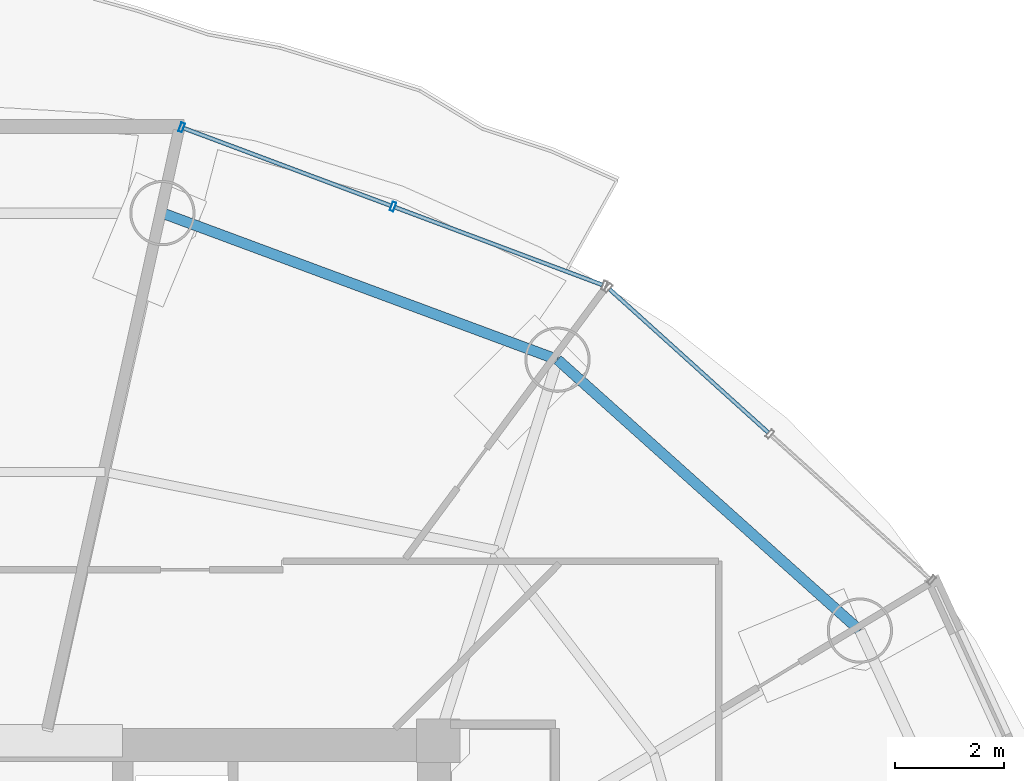
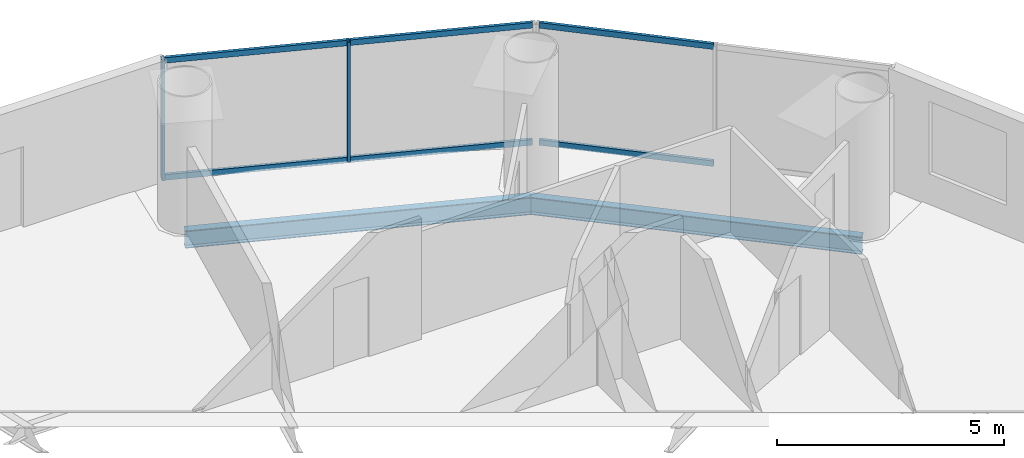
# One storey, part 17 of 26: 8 members, 2 beams, 2 elements without a shape of their own.
"""IFC4 building model written with IfcOpenShell, lengths in metres."""

import ifcopenshell
import ifcopenshell.guid

model = None  # the IFC model being written
_history = None  # IfcOwnerHistory: only IFC2X3 demands one
_inside = {}  # id of a spatial element -> (the spatial element, [elements in it])
_under = {}  # id of a project, library or spatial element -> (it, [spatial elements below it])
_declared = {}  # id of a project -> (the project, [libraries it declares])
_typed = {}  # id of a type object -> (the type object, [elements of that type])
_made_of = {}  # id of a material, layer set ... -> (it, [elements and type objects made of it])


def new_model(schema):
    """Start an empty IFC model of exactly this schema.

    Asked for "IFC4X3", IfcOpenShell would pick the latest addendum, in which some entities
    have other attributes; the version numbers below select the first issue.
    IFC2X3 requires an IfcOwnerHistory on every rooted entity: one is made here for all.
    """
    global model, _history
    if schema == "IFC4X3":
        model = ifcopenshell.file(schema_version=(4, 3, 0, 0))
    else:
        model = ifcopenshell.file(schema=schema)
    _inside.clear()
    _under.clear()
    _declared.clear()
    _typed.clear()
    _made_of.clear()
    _history = None
    if model.schema == "IFC2X3":
        org = make("IfcOrganization", Name="unknown")
        user = make(
            "IfcPersonAndOrganization",
            ThePerson=make("IfcPerson", FamilyName="unknown"),
            TheOrganization=org,
        )
        app = make(
            "IfcApplication",
            ApplicationDeveloper=org,
            Version="unknown",
            ApplicationFullName="unknown",
            ApplicationIdentifier="unknown",
        )
        _history = make(
            "IfcOwnerHistory",
            OwningUser=user,
            OwningApplication=app,
            ChangeAction="ADDED",
            CreationDate=0,
        )
    return model


def make(cls, **values):
    """One entity of the class cls with the attributes given. An attribute that is None is left unset."""
    return model.create_entity(
        cls, **{name: value for name, value in values.items() if value is not None}
    )


def rooted(cls, **values):
    """An entity with a GlobalId (a new one), such as an element, a storey or a relation."""
    return make(cls, GlobalId=ifcopenshell.guid.new(), OwnerHistory=_history, **values)


def si_unit(unit_type, name, prefix=None):
    """IfcSIUnit, for example si_unit("LENGTHUNIT", "METRE", prefix="MILLI")."""
    return make("IfcSIUnit", UnitType=unit_type, Prefix=prefix, Name=name)


def assignment(units):
    """IfcUnitAssignment: the units of a project."""
    return None if units is None else make("IfcUnitAssignment", Units=units)


def point(xyz):
    """IfcCartesianPoint."""
    return None if xyz is None else make("IfcCartesianPoint", Coordinates=xyz)


def direction(xyz):
    """IfcDirection."""
    return None if xyz is None else make("IfcDirection", DirectionRatios=xyz)


def frame(location, z_axis=None, x_axis=None):
    """IfcAxis2Placement3D, a coordinate frame: its origin and axes. An axis left out is left unset."""
    return make(
        "IfcAxis2Placement3D",
        Location=point(location),
        Axis=direction(z_axis),
        RefDirection=direction(x_axis),
    )


def frame_2d(location, x_axis=None):
    """IfcAxis2Placement2D, a coordinate frame in the plane: its origin and x axis."""
    return make(
        "IfcAxis2Placement2D", Location=point(location), RefDirection=direction(x_axis)
    )


def origin():
    """The frame at (0, 0, 0) with its axes left unset."""
    return frame((0.0, 0.0, 0.0))


def origin_2d():
    """The frame at (0, 0) in the plane with its x axis left unset."""
    return frame_2d((0.0, 0.0))


def place(relative_to, where):
    """IfcLocalPlacement: puts the frame where relative to a parent placement (None: the world)."""
    return make(
        "IfcLocalPlacement", PlacementRelTo=relative_to, RelativePlacement=where
    )


def context(
    kind, dimensions, precision=None, world=None, true_north=None, identifier=None
):
    """IfcGeometricRepresentationContext, for example the 3D "Model" context."""
    return make(
        "IfcGeometricRepresentationContext",
        ContextIdentifier=identifier,
        ContextType=kind,
        CoordinateSpaceDimension=dimensions,
        Precision=precision,
        WorldCoordinateSystem=world,
        TrueNorth=true_north,
    )


def subcontext(parent, identifier, kind, view, scale=None):
    """IfcGeometricRepresentationSubContext, for example "Body" below "Model"."""
    return make(
        "IfcGeometricRepresentationSubContext",
        ContextIdentifier=identifier,
        ContextType=kind,
        ParentContext=parent,
        TargetScale=scale,
        TargetView=view,
    )


def project(units=None, contexts=None):
    """IfcProject with its units and contexts."""
    return rooted(
        "IfcProject",
        Name="project",
        RepresentationContexts=contexts,
        UnitsInContext=assignment(units),
    )


def spatial(cls, under=None, at=None, **own):
    """A site, building, storey or space (cls), placed at a placement, below another one or the project."""
    s = rooted(cls, ObjectPlacement=at, **own)
    if under is not None:
        _under.setdefault(under.id(), (under, []))[1].append(s)
    return s


def profile(cls, at=None, kind="AREA", **sizes):
    """A parametric profile (cls). Its sizes go by their IFC names, for example OverallWidth=200.0."""
    return make(cls, ProfileType=kind, Position=at, **sizes)


def hollow_rectangle(**sizes):
    """IfcRectangleHollowProfileDef."""
    return profile("IfcRectangleHollowProfileDef", **sizes)


def i_section(**sizes):
    """IfcIShapeProfileDef."""
    return profile("IfcIShapeProfileDef", **sizes)


def extrude(swept, where, along, depth):
    """IfcExtrudedAreaSolid: the profile swept, set in the frame where, extruded along a direction by depth."""
    return make(
        "IfcExtrudedAreaSolid",
        SweptArea=swept,
        Position=where,
        ExtrudedDirection=direction(along),
        Depth=depth,
    )


def shape(context_of_items, identifier, shape_type, items):
    """IfcShapeRepresentation: the items that make up one representation, for example the "Body"."""
    return make(
        "IfcShapeRepresentation",
        ContextOfItems=context_of_items,
        RepresentationIdentifier=identifier,
        RepresentationType=shape_type,
        Items=items,
    )


def source(mapping_origin, context_of_items, identifier, shape_type, items):
    """IfcRepresentationMap: a shape defined once, which mapped items show again and again."""
    return make(
        "IfcRepresentationMap",
        MappingOrigin=mapping_origin,
        MappedRepresentation=shape(context_of_items, identifier, shape_type, items),
    )


def transform(
    local_origin,
    x_axis=None,
    y_axis=None,
    z_axis=None,
    scale=None,
    scale2=None,
    scale3=None,
    uniform=True,
):
    """IfcCartesianTransformationOperator3D, or its non-uniform kind. x_axis, y_axis, z_axis: its Axis1, 2, 3."""
    if uniform:
        return make(
            "IfcCartesianTransformationOperator3D",
            Axis1=direction(x_axis),
            Axis2=direction(y_axis),
            LocalOrigin=point(local_origin),
            Scale=scale,
            Axis3=direction(z_axis),
        )
    return make(
        "IfcCartesianTransformationOperator3DnonUniform",
        Axis1=direction(x_axis),
        Axis2=direction(y_axis),
        LocalOrigin=point(local_origin),
        Scale=scale,
        Axis3=direction(z_axis),
        Scale2=scale2,
        Scale3=scale3,
    )


def mapped(mapping_source, mapping_target):
    """IfcMappedItem: shows the shape of a source again, moved by a transform."""
    return make(
        "IfcMappedItem", MappingSource=mapping_source, MappingTarget=mapping_target
    )


def material(Name=None, Category=None):
    """IfcMaterial."""
    return make("IfcMaterial", Name=Name, Category=Category)


def material_profile(
    of_material, cross_section, Name=None, Category=None, Priority=None
):
    """IfcMaterialProfile: a cross section and its material."""
    return make(
        "IfcMaterialProfile",
        Name=Name,
        Material=of_material,
        Profile=cross_section,
        Priority=Priority,
        Category=Category,
    )


def profile_set(profiles, Name=None, composite=None):
    """IfcMaterialProfileSet."""
    return make(
        "IfcMaterialProfileSet",
        Name=Name,
        MaterialProfiles=profiles,
        CompositeProfile=composite,
    )


def made_of(thing, what):
    """Note that an element or type object is made of a material, layer set ...; save() writes the relation."""
    if what is not None:
        _made_of.setdefault(what.id(), (what, []))[1].append(thing)
    return thing


def type_object(cls, material=None, **own):
    """A type object (cls), such as IfcWallType, which elements share."""
    return made_of(rooted(cls, **own), material)


def element(
    cls,
    number,
    at=None,
    inside=None,
    cuts=None,
    type_object=None,
    material=None,
    context=None,
    identifier="Body",
    shape_type=None,
    held_by="IfcProductDefinitionShape",
    body=None,
    shapes=None,
    **own,
):
    """One element of the class cls, such as IfcWall. Its Tag is "e" and its number.

    at: its placement. inside: the storey or other place that contains it. cuts: it is an
    opening in that element (IfcRelVoidsElement). A single representation is given by context,
    identifier, shape_type and body (its items); several are given by shapes. held_by: the class
    of the entity that holds the representations. save() writes the other relations.
    """
    e = rooted(cls, Tag="e%d" % number, ObjectPlacement=at, **own)
    if body is not None:
        shapes = [shape(context, identifier, shape_type, body)]
    if shapes is not None:
        e.Representation = make(held_by, Representations=shapes)
    if inside is not None:
        _inside.setdefault(inside.id(), (inside, []))[1].append(e)
    if cuts is not None:
        rooted(
            "IfcRelVoidsElement", RelatingBuildingElement=cuts, RelatedOpeningElement=e
        )
    if type_object is not None:
        _typed.setdefault(type_object.id(), (type_object, []))[1].append(e)
    return made_of(e, material)


def aggregate(whole, parts):
    """IfcRelAggregates: a whole, such as a stair, and the parts it consists of."""
    return rooted("IfcRelAggregates", RelatingObject=whole, RelatedObjects=parts)


def save(model, path):
    """Write the relations noted so far, then the file.

    IfcRelAggregates (storeys below a building ...), IfcRelContainedInSpatialStructure (elements
    in a storey), IfcRelDefinesByType, IfcRelAssociatesMaterial and IfcRelDeclares: one each for
    every whole, place, type object, material and project.
    """
    for whole, parts in _under.values():
        aggregate(whole, parts)
    for where, things in _inside.values():
        rooted(
            "IfcRelContainedInSpatialStructure",
            RelatedElements=things,
            RelatingStructure=where,
        )
    for kind, things in _typed.values():
        rooted("IfcRelDefinesByType", RelatedObjects=things, RelatingType=kind)
    for what, things in _made_of.values():
        rooted("IfcRelAssociatesMaterial", RelatedObjects=things, RelatingMaterial=what)
    for by, libraries in _declared.values():
        rooted("IfcRelDeclares", RelatingContext=by, RelatedDefinitions=libraries)
    model.write(path)


model = new_model("IFC4")

# Units and contexts
model_context = context("Model", 3, precision=1e-05, world=origin(), true_north=direction((-0.2419218956, 0.970295726276)))
body_context = subcontext(model_context, "Body", "Model", "MODEL_VIEW")
ifc_project = project(units=[si_unit("LENGTHUNIT", "METRE"), si_unit("AREAUNIT", "SQUARE_METRE"), si_unit("VOLUMEUNIT", "CUBIC_METRE"), si_unit("PLANEANGLEUNIT", "RADIAN"), si_unit("MASSUNIT", "GRAM", prefix="KILO")], contexts=[model_context])

# Site, building, storey
site_placement = place(None, origin())
site = spatial("IfcSite", under=ifc_project, at=site_placement, CompositionType="ELEMENT")
building_placement = place(site_placement, origin())
building = spatial("IfcBuilding", under=site, at=building_placement, Name="Cobrevalo Terracotta Tower", CompositionType="ELEMENT")
storey_placement = place(building_placement, frame((0.0, 0.0, 239.300048828125)))
storey = spatial("IfcBuildingStorey", under=building, at=storey_placement, Name="L63", CompositionType="ELEMENT", Elevation=239.300048828125)

# Beams
ifc_material_1 = material(Name="Steel S355", Category="steel")
ifc_material_profile_1 = material_profile(ifc_material_1, i_section(OverallWidth=0.194091796875, OverallDepth=0.468994140625, WebThickness=0.011474609375, FlangeThickness=0.0205078125, at=origin_2d()), Name="W 460x106")
ifc_profile_set_1 = profile_set([ifc_material_profile_1], Name="Steel S355")
beam_type = type_object("IfcBeamType", Name="Structural Spandrel W 460x106 (Steel S355)", PredefinedType="SPANDREL", material=ifc_profile_set_1)
beam_1_placement = place(storey_placement, frame((54.754150390625, 36.828125, -0.49951171875), z_axis=(-0.744851930997, 0.667229796165, 0.0), x_axis=(-0.667229796165, -0.744851930997, 0.0)))
element("IfcBeam", 1, at=beam_1_placement, inside=storey, type_object=beam_type, Name="L63 perimeter ring spandrel 02", PredefinedType="SPANDREL", context=body_context, shape_type="SweptSolid", body=[
    extrude(i_section(OverallWidth=0.194091796875, OverallDepth=0.468994140625, WebThickness=0.011474609375, FlangeThickness=0.0205078125, at=origin_2d()), origin(), (0.0, 0.0, 1.0), 7.463623046875),
])
beam_2_placement = place(storey_placement, frame((49.19482421875, 41.80810546875, -0.49951171875), z_axis=(-0.937545996665, 0.347861328892, 0.0), x_axis=(-0.347861328892, -0.937545996665, 0.0)))
element("IfcBeam", 2, at=beam_2_placement, inside=storey, type_object=beam_type, Name="L63 perimeter ring spandrel 03", PredefinedType="SPANDREL", context=body_context, shape_type="SweptSolid", body=[
    extrude(i_section(OverallWidth=0.194091796875, OverallDepth=0.468994140625, WebThickness=0.011474609375, FlangeThickness=0.0205078125, at=origin_2d()), origin(), (0.0, 0.0, 1.0), 7.74755859375),
])

# Curtain wall, members
ifc_material_2 = material(Name="Anodized aluminium", Category="aluminium")
curtain_wall_type = type_object("IfcCurtainWallType", Name="Mid-tower high-wind unitised curtain wall CW-U2", PredefinedType="NOTDEFINED", material=ifc_material_2)
curtain_wall_1_placement = place(storey_placement, origin())
curtain_wall_1 = element("IfcCurtainWall", 3, at=curtain_wall_1_placement, inside=storey, type_object=curtain_wall_type, Name="L63 curtain wall CW-L63-S02", PredefinedType="NOTDEFINED")
ifc_material_profile_2 = material_profile(ifc_material_2, hollow_rectangle(XDim=0.074951171875, YDim=0.14990234375, WallThickness=0.00439453125, at=origin_2d()), Name="CWT 75x150")
ifc_profile_set_2 = profile_set([ifc_material_profile_2], Name="Anodized aluminium")
member_type_1 = type_object("IfcMemberType", Name="Tower unitised aluminium transom 75x150", PredefinedType="USERDEFINED", material=ifc_profile_set_2)
shared_shape_1 = source(origin(), body_context, "Body", "SweptSolid", [
    extrude(hollow_rectangle(XDim=0.074951171875, YDim=0.14990234375, WallThickness=0.00439453125, at=origin_2d()), origin(), (0.0, 0.0, 1.0), 3.927734375),
])
member_1_placement = place(storey_placement, frame((53.068359375, 40.46826171875, 0.050048828125), z_axis=(-0.742003891138, 0.670395573923, 0.0), x_axis=(-0.670395573923, -0.742003891138, 0.0)))
member_1 = element("IfcMember", 4, at=member_1_placement, type_object=member_type_1, Name="CW-L63-S02 transom B02-T1", ObjectType="TRANSOM", PredefinedType="USERDEFINED", context=body_context, shape_type="MappedRepresentation", body=[
    mapped(shared_shape_1, transform((0.0, 0.0, 0.0), scale=1.0)),
])
member_2_placement = place(storey_placement, frame((53.068359375, 40.46826171875, 3.199951171875), z_axis=(-0.742003891138, 0.670395573923, 0.0), x_axis=(-0.670395573923, -0.742003891138, 0.0)))
member_2 = element("IfcMember", 5, at=member_2_placement, type_object=member_type_1, Name="CW-L63-S02 transom B02-T2", ObjectType="TRANSOM", PredefinedType="USERDEFINED", context=body_context, shape_type="MappedRepresentation", body=[
    mapped(shared_shape_1, transform((0.0, 0.0, 0.0), scale=1.0)),
])
aggregate(curtain_wall_1, [member_1, member_2])

curtain_wall_2_placement = place(storey_placement, origin())
curtain_wall_2 = element("IfcCurtainWall", 6, at=curtain_wall_2_placement, inside=storey, type_object=curtain_wall_type, Name="L63 curtain wall CW-L63-S03", PredefinedType="NOTDEFINED")
shared_shape_2 = source(origin(), body_context, "Body", "SweptSolid", [
    extrude(hollow_rectangle(XDim=0.074951171875, YDim=0.14990234375, WallThickness=0.00439453125, at=origin_2d()), origin(), (0.0, 0.0, 1.0), 4.069580078125),
])
member_3_placement = place(storey_placement, frame((50.019775390625, 43.18310546875, 0.050048828125), z_axis=(-0.936548420649, 0.350538237259, 0.0), x_axis=(-0.350538237259, -0.936548420649, 0.0)))
member_3 = element("IfcMember", 7, at=member_3_placement, type_object=member_type_1, Name="CW-L63-S03 transom B01-T1", ObjectType="TRANSOM", PredefinedType="USERDEFINED", context=body_context, shape_type="MappedRepresentation", body=[
    mapped(shared_shape_2, transform((0.0, 0.0, 0.0), scale=1.0)),
])
member_4_placement = place(storey_placement, frame((50.019775390625, 43.18310546875, 3.199951171875), z_axis=(-0.936548420649, 0.350538237259, 0.0), x_axis=(-0.350538237259, -0.936548420649, 0.0)))
member_4 = element("IfcMember", 8, at=member_4_placement, type_object=member_type_1, Name="CW-L63-S03 transom B01-T2", ObjectType="TRANSOM", PredefinedType="USERDEFINED", context=body_context, shape_type="MappedRepresentation", body=[
    mapped(shared_shape_2, transform((0.0, 0.0, 0.0), scale=1.0)),
])
shared_shape_3 = source(origin(), body_context, "Body", "SweptSolid", [
    extrude(hollow_rectangle(XDim=0.074951171875, YDim=0.14990234375, WallThickness=0.00439453125, at=origin_2d()), origin(), (0.0, 0.0, 1.0), 4.06982421875),
])
member_5_placement = place(storey_placement, frame((46.133544921875, 44.637451171875, 0.050048828125), z_axis=(-0.936555791772, 0.350518542873, 0.0), x_axis=(-0.350518542873, -0.936555791772, 0.0)))
member_5 = element("IfcMember", 9, at=member_5_placement, type_object=member_type_1, Name="CW-L63-S03 transom B02-T1", ObjectType="TRANSOM", PredefinedType="USERDEFINED", context=body_context, shape_type="MappedRepresentation", body=[
    mapped(shared_shape_3, transform((0.0, 0.0, 0.0), scale=1.0)),
])
member_6_placement = place(storey_placement, frame((46.133544921875, 44.637451171875, 3.199951171875), z_axis=(-0.936555791772, 0.350518542873, 0.0), x_axis=(-0.350518542873, -0.936555791772, 0.0)))
member_6 = element("IfcMember", 10, at=member_6_placement, type_object=member_type_1, Name="CW-L63-S03 transom B02-T2", ObjectType="TRANSOM", PredefinedType="USERDEFINED", context=body_context, shape_type="MappedRepresentation", body=[
    mapped(shared_shape_3, transform((0.0, 0.0, 0.0), scale=1.0)),
])
ifc_material_profile_3 = material_profile(ifc_material_2, hollow_rectangle(XDim=0.070068359375, YDim=0.169921875, WallThickness=0.00439453125, at=origin_2d()), Name="CWM 70x170")
ifc_profile_set_3 = profile_set([ifc_material_profile_3], Name="Anodized aluminium")
member_type_2 = type_object("IfcMemberType", Name="Upper tower unitised mullion 70x170", PredefinedType="MULLION", material=ifc_profile_set_3)
shared_shape_4 = source(origin(), body_context, "Body", "SweptSolid", [
    extrude(hollow_rectangle(XDim=0.070068359375, YDim=0.169921875, WallThickness=0.00439453125, at=origin_2d()), origin(), (0.0, 0.0, 1.0), 3.25),
])
member_7_placement = place(storey_placement, frame((46.1708984375, 44.62353515625, 0.0), z_axis=(0.0, 0.0, 1.0), x_axis=(-0.936556004584, 0.350517974259, 0.0)))
member_7 = element("IfcMember", 11, at=member_7_placement, type_object=member_type_2, Name="CW-L63-S03 vertical mullion 02", PredefinedType="MULLION", context=body_context, shape_type="MappedRepresentation", body=[
    mapped(shared_shape_4, transform((0.0, 0.0, 0.0), scale=1.0)),
])
member_8_placement = place(storey_placement, frame((42.28466796875, 46.078125, 0.0), z_axis=(0.0, 0.0, 1.0), x_axis=(-0.936556004584, 0.350517974259, 0.0)))
member_8 = element("IfcMember", 12, at=member_8_placement, type_object=member_type_2, Name="CW-L63-S03 vertical mullion 03", PredefinedType="MULLION", context=body_context, shape_type="MappedRepresentation", body=[
    mapped(shared_shape_4, transform((0.0, 0.0, 0.0), scale=1.0)),
])
aggregate(curtain_wall_2, [member_7, member_8, member_3, member_4, member_5, member_6])

save(model, "model.ifc")
